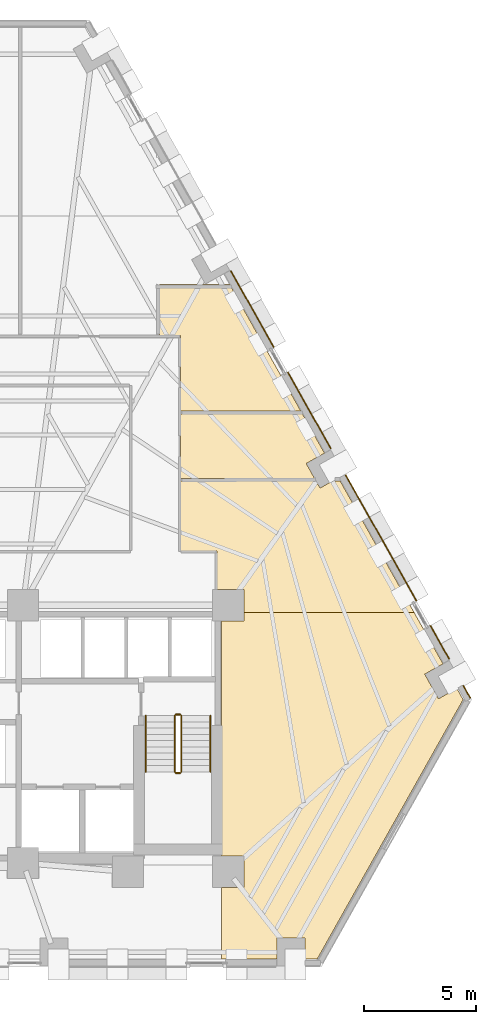
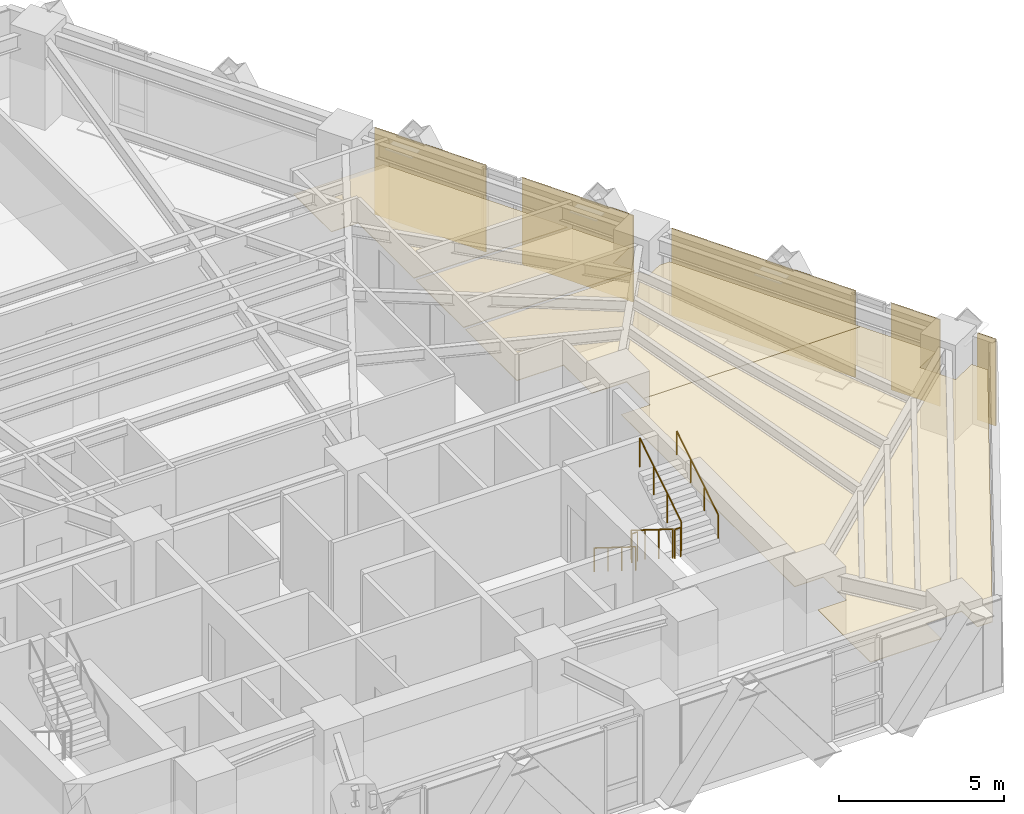
# One storey, part 12 of 13: 9 coverings, 6 railings.
"""IFC4 building model written with IfcOpenShell, lengths in metres."""

from ifc_helpers import new_model, si_unit, direction, frame, origin, origin_2d, place, context, subcontext, project, spatial, polyline, circle, outline, extrude, material, layer, layer_set, type_object, element, save


model = new_model("IFC4")

# Units and contexts
model_context = context("Model", 3, precision=1e-05, world=origin(), true_north=direction((0.0, 1.0)))
body_context = subcontext(model_context, "Body", "Model", "MODEL_VIEW")
ifc_project = project(units=[si_unit("LENGTHUNIT", "METRE"), si_unit("AREAUNIT", "SQUARE_METRE"), si_unit("VOLUMEUNIT", "CUBIC_METRE"), si_unit("PLANEANGLEUNIT", "RADIAN"), si_unit("MASSUNIT", "GRAM", prefix="KILO")], contexts=[model_context])

# Site, building, storey
site_placement = place(None, origin())
site = spatial("IfcSite", under=ifc_project, at=site_placement, CompositionType="ELEMENT")
building_placement = place(site_placement, origin())
building = spatial("IfcBuilding", under=site, at=building_placement, Name="Quenlor Broadcast Tower", CompositionType="ELEMENT")
storey_placement = place(building_placement, frame((0.0, 0.0, 45.10009765625)))
storey = spatial("IfcBuildingStorey", under=building, at=storey_placement, Name="L11", CompositionType="ELEMENT", Elevation=45.10009765625)

# Coverings
ifc_material_1 = material(Name="Acoustic Mineral Fibre Board", Category="other")
ifc_layer_1 = layer(ifc_material_1, 0.02490234375)
ifc_layer_set_1 = layer_set([ifc_layer_1], Name="Acoustic Perforated Mineral Tile Ceiling 25")
covering_type_1 = type_object("IfcCoveringType", Name="Acoustic Perforated Mineral Tile Ceiling 25", PredefinedType="CEILING", material=ifc_layer_set_1)
covering_1_placement = place(storey_placement, frame((0.0, 0.0, 2.224853515625)))
element("IfcCovering", 1, at=covering_1_placement, inside=storey, type_object=covering_type_1, Name="L11 Acoustic Ceiling L11-34", PredefinedType="CEILING", context=body_context, shape_type="SweptSolid", body=[
    extrude(outline(polyline([(9.860107421875, 7.280029296875), (9.860107421875, 9.580078125), (13.0087890625, 9.580078125), (16.20361328125, 3.89990234375), (10.804931640625, 3.89990234375), (10.804931640625, 7.280029296875), (9.860107421875, 7.280029296875)])), origin(), (0.0, 0.0, 1.0), 0.025146484375),
])
covering_2_placement = place(storey_placement, frame((0.0, 0.0, 2.224853515625)))
element("IfcCovering", 2, at=covering_2_placement, inside=storey, type_object=covering_type_1, Name="L11 Acoustic Ceiling L11-36", PredefinedType="CEILING", context=body_context, shape_type="SweptSolid", body=[
    extrude(outline(polyline([(16.44189453125, 1.552978515625), (16.820556640625, 0.879638671875), (10.804931640625, 0.879638671875), (10.804931640625, 3.780029296875), (16.271240234375, 3.780029296875), (17.263671875, 2.015380859375), (16.44189453125, 1.552978515625)])), origin(), (0.0, 0.0, 1.0), 0.025146484375),
])
covering_3_placement = place(storey_placement, frame((0.0, 0.0, 2.224853515625)))
element("IfcCovering", 3, at=covering_3_placement, inside=storey, type_object=covering_type_1, Name="L11 Acoustic Ceiling L11-38-2", PredefinedType="CEILING", context=body_context, shape_type="SweptSolid", body=[
    extrude(outline(polyline([(13.657958984375, -4.092041015625), (12.43994140625, -4.092041015625), (12.43994140625, -2.3701171875), (10.804931640625, -2.3701171875), (10.804931640625, 0.759765625), (16.88818359375, 0.759765625), (17.0625, 0.44970703125), (17.61376953125, 0.759765625), (17.97021484375, 0.759765625), (21.27734375, -5.1201171875), (13.657958984375, -5.1201171875), (13.657958984375, -4.092041015625)])), origin(), (0.0, 0.0, 1.0), 0.025146484375),
])
covering_4_placement = place(storey_placement, frame((0.0, 0.0, 2.224853515625)))
element("IfcCovering", 4, at=covering_4_placement, inside=storey, type_object=covering_type_1, Name="L11 Acoustic Ceiling L11-38-5", PredefinedType="CEILING", context=body_context, shape_type="SweptSolid", body=[
    extrude(outline(polyline([(13.657958984375, -17.4580078125), (13.657958984375, -16.0419921875), (12.64990234375, -16.0419921875), (12.64990234375, -5.508056640625), (13.657958984375, -5.508056640625), (13.657958984375, -5.1201171875), (21.27734375, -5.1201171875), (22.575927734375, -7.428466796875), (21.754150390625, -7.890625), (22.374755859375, -8.994140625), (23.196533203125, -8.531982421875), (23.477783203125, -9.031982421875), (16.937255859375, -20.659912109375), (16.398193359375, -20.659912109375), (16.398193359375, -19.717041015625), (15.132080078125, -19.717041015625), (15.132080078125, -20.659912109375), (12.64990234375, -20.659912109375), (12.64990234375, -17.4580078125), (13.657958984375, -17.4580078125)])), origin(), (0.0, 0.0, 1.0), 0.025146484375),
])
ifc_material_2 = material(Name="Architectural Terracotta Ceramic", Category="masonry")
ifc_layer_2 = layer(ifc_material_2, 0.044921875)
ifc_layer_set_2 = layer_set([ifc_layer_2], Name="Fluted Terracotta Rainscreen Cladding Panel")
covering_type_2 = type_object("IfcCoveringType", Name="Fluted Terracotta Rainscreen Cladding Panel", PredefinedType="CLADDING", material=ifc_layer_set_2)
covering_5_placement = place(storey_placement, frame((0.0, 0.0, 0.02001953125)))
element("IfcCovering", 5, at=covering_5_placement, inside=storey, type_object=covering_type_2, Name="L11 Terracotta Rainscreen Cladding L11-SHD-NES1", PredefinedType="CLADDING", context=body_context, shape_type="SweptSolid", body=[
    extrude(outline(polyline([(23.464111328125, -8.412109375), (23.781982421875, -8.97705078125), (23.8212890625, -8.955078125), (23.50341796875, -8.39013671875), (23.464111328125, -8.412109375)])), origin(), (0.0, 0.0, 1.0), 3.2099609375),
])
covering_6_placement = place(storey_placement, frame((0.0, 0.0, 0.02001953125)))
element("IfcCovering", 6, at=covering_6_placement, inside=storey, type_object=covering_type_2, Name="L11 Terracotta Rainscreen Cladding L11-NEC-SP1", PredefinedType="CLADDING", context=body_context, shape_type="SweptSolid", body=[
    extrude(outline(polyline([(18.18798828125, 1.029052734375), (21.3671875, -4.622802734375), (21.406494140625, -4.6005859375), (18.227294921875, 1.051025390625), (18.18798828125, 1.029052734375)])), origin(), (0.0, 0.0, 1.0), 3.2099609375),
])
covering_7_placement = place(storey_placement, frame((0.0, 0.0, 0.02001953125)))
element("IfcCovering", 7, at=covering_7_placement, inside=storey, type_object=covering_type_2, Name="L11 Terracotta Rainscreen Cladding L11-NEC-SP2", PredefinedType="CLADDING", context=body_context, shape_type="SweptSolid", body=[
    extrude(outline(polyline([(21.988525390625, -5.727294921875), (22.83349609375, -7.2294921875), (22.872802734375, -7.20751953125), (22.027587890625, -5.705322265625), (21.988525390625, -5.727294921875)])), origin(), (0.0, 0.0, 1.0), 3.2099609375),
])
covering_8_placement = place(storey_placement, frame((0.0, 0.0, 0.02001953125)))
element("IfcCovering", 8, at=covering_8_placement, inside=storey, type_object=covering_type_2, Name="L11 Terracotta Rainscreen Cladding L11-NE-SP1", PredefinedType="CLADDING", context=body_context, shape_type="SweptSolid", body=[
    extrude(outline(polyline([(13.044921875, 10.172607421875), (14.9736328125, 6.74365234375), (15.0126953125, 6.765625), (13.083984375, 10.194580078125), (13.044921875, 10.172607421875)])), origin(), (0.0, 0.0, 1.0), 3.2099609375),
])
covering_9_placement = place(storey_placement, frame((0.0, 0.0, 0.02001953125)))
element("IfcCovering", 9, at=covering_9_placement, inside=storey, type_object=covering_type_2, Name="L11 Terracotta Rainscreen Cladding L11-NE-SP2", PredefinedType="CLADDING", context=body_context, shape_type="SweptSolid", body=[
    extrude(outline(polyline([(15.594970703125, 5.638916015625), (17.523681640625, 2.2099609375), (17.56298828125, 2.23193359375), (15.63427734375, 5.660888671875), (15.594970703125, 5.638916015625)])), origin(), (0.0, 0.0, 1.0), 3.2099609375),
])

# Railings
ifc_material_3 = material(Name="Anodised Aluminium", Category="aluminium")
railing_type_1 = type_object("IfcRailingType", Name="Stainless Aluminium Wall Handrail 900", PredefinedType="HANDRAIL", material=ifc_material_3)
railing_1_placement = place(storey_placement, frame((9.25, -9.75, 0.1748046875)))
element("IfcRailing", 10, at=railing_1_placement, inside=storey, type_object=railing_type_1, Name="L11 ST-2 stair handrail 1", PredefinedType="HANDRAIL", context=body_context, shape_type="SweptSolid", body=[
    extrude(circle(Radius=0.02392578125, at=origin_2d()), frame((0.0, 0.0, 0.8759765625), z_axis=(0.0, -0.847970611238, 0.530043245855), x_axis=(1.0, 0.0, 0.0)), (0.0, 0.0, 1.0), 2.971923828125),
    extrude(circle(Radius=0.02099609375, at=origin_2d()), origin(), (0.0, 0.0, 1.0), 0.851806640625),
    extrude(circle(Radius=0.02099609375, at=origin_2d()), frame((0.0, -0.840087890625, 0.525146484375)), (0.0, 0.0, 1.0), 0.851806640625),
    extrude(circle(Radius=0.02099609375, at=origin_2d()), frame((0.0, -1.679931640625, 1.050048828125)), (0.0, 0.0, 1.0), 0.851806640625),
    extrude(circle(Radius=0.02099609375, at=origin_2d()), frame((0.0, -2.52001953125, 1.5751953125)), (0.0, 0.0, 1.0), 0.851806640625),
])
railing_2_placement = place(storey_placement, frame((12.14990234375, -12.27001953125, 1.9248046875)))
element("IfcRailing", 11, at=railing_2_placement, inside=storey, type_object=railing_type_1, Name="L11 ST-2 stair handrail 2", PredefinedType="HANDRAIL", context=body_context, shape_type="SweptSolid", body=[
    extrude(circle(Radius=0.02392578125, at=origin_2d()), frame((0.0, 0.0, 0.8759765625), z_axis=(0.0, 0.847970611238, 0.530043245855), x_axis=(-1.0, 0.0, 0.0)), (0.0, 0.0, 1.0), 2.971923828125),
    extrude(circle(Radius=0.02099609375, at=origin_2d()), origin(), (0.0, 0.0, 1.0), 0.851806640625),
    extrude(circle(Radius=0.02099609375, at=origin_2d()), frame((0.0, 0.840087890625, 0.525146484375)), (0.0, 0.0, 1.0), 0.851806640625),
    extrude(circle(Radius=0.02099609375, at=origin_2d()), frame((0.0, 1.679931640625, 1.050048828125)), (0.0, 0.0, 1.0), 0.851806640625),
    extrude(circle(Radius=0.02099609375, at=origin_2d()), frame((0.0, 2.52001953125, 1.5751953125)), (0.0, 0.0, 1.0), 0.851806640625),
])
ifc_material_4 = material(Name="Steel S355", Category="steel")
railing_type_2 = type_object("IfcRailingType", Name="Tubular Steel S355 Stair Guardrail 1100", PredefinedType="BALUSTRADE", material=ifc_material_4)
railing_3_placement = place(storey_placement, frame((10.550048828125, -9.75, 0.1748046875)))
element("IfcRailing", 12, at=railing_3_placement, inside=storey, type_object=railing_type_2, Name="L11 ST-2 stair guard 1", PredefinedType="BALUSTRADE", context=body_context, shape_type="SweptSolid", body=[
    extrude(circle(Radius=0.02392578125, at=origin_2d()), frame((0.0, 0.0, 1.076171875), z_axis=(0.0, -0.847970611238, 0.530043245855), x_axis=(1.0, 0.0, 0.0)), (0.0, 0.0, 1.0), 2.971923828125),
    extrude(circle(Radius=0.02099609375, at=origin_2d()), origin(), (0.0, 0.0, 1.0), 1.052001953125),
    extrude(circle(Radius=0.02099609375, at=origin_2d()), frame((0.0, -0.840087890625, 0.525146484375)), (0.0, 0.0, 1.0), 1.052001953125),
    extrude(circle(Radius=0.02099609375, at=origin_2d()), frame((0.0, -1.679931640625, 1.050048828125)), (0.0, 0.0, 1.0), 1.052001953125),
    extrude(circle(Radius=0.02099609375, at=origin_2d()), frame((0.0, -2.52001953125, 1.5751953125)), (0.0, 0.0, 1.0), 1.052001953125),
])
railing_4_placement = place(storey_placement, frame((10.60009765625, -12.320068359375, 1.75)))
element("IfcRailing", 13, at=railing_4_placement, inside=storey, type_object=railing_type_2, Name="L11 ST-2 stair guard 2", PredefinedType="BALUSTRADE", context=body_context, shape_type="SweptSolid", body=[
    extrude(circle(Radius=0.02392578125, at=origin_2d()), frame((0.0, 0.0, 1.076171875), z_axis=(1.0, 0.0, 0.0), x_axis=(0.0, 1.0, 0.0)), (0.0, 0.0, 1.0), 0.199951171875),
    extrude(circle(Radius=0.02099609375, at=origin_2d()), origin(), (0.0, 0.0, 1.0), 1.052001953125),
    extrude(circle(Radius=0.02099609375, at=origin_2d()), frame((0.199951171875, 0.0, 0.0)), (0.0, 0.0, 1.0), 1.052001953125),
])
railing_5_placement = place(storey_placement, frame((10.85009765625, -12.27001953125, 1.9248046875)))
element("IfcRailing", 14, at=railing_5_placement, inside=storey, type_object=railing_type_2, Name="L11 ST-2 stair guard 3", PredefinedType="BALUSTRADE", context=body_context, shape_type="SweptSolid", body=[
    extrude(circle(Radius=0.02392578125, at=origin_2d()), frame((0.0, 0.0, 1.076171875), z_axis=(0.0, 0.847970611238, 0.530043245855), x_axis=(-1.0, 0.0, 0.0)), (0.0, 0.0, 1.0), 2.971923828125),
    extrude(circle(Radius=0.02099609375, at=origin_2d()), origin(), (0.0, 0.0, 1.0), 1.052001953125),
    extrude(circle(Radius=0.02099609375, at=origin_2d()), frame((0.0, 0.840087890625, 0.525146484375)), (0.0, 0.0, 1.0), 1.052001953125),
    extrude(circle(Radius=0.02099609375, at=origin_2d()), frame((0.0, 1.679931640625, 1.050048828125)), (0.0, 0.0, 1.0), 1.052001953125),
    extrude(circle(Radius=0.02099609375, at=origin_2d()), frame((0.0, 2.52001953125, 1.5751953125)), (0.0, 0.0, 1.0), 1.052001953125),
])
railing_6_placement = place(storey_placement, frame((10.60009765625, -9.699951171875, 0.0)))
element("IfcRailing", 15, at=railing_6_placement, inside=storey, type_object=railing_type_2, Name="L11 ST-2 stair guard 4", PredefinedType="BALUSTRADE", context=body_context, shape_type="SweptSolid", body=[
    extrude(circle(Radius=0.02392578125, at=origin_2d()), frame((0.0, 0.0, 1.076171875), z_axis=(1.0, 0.0, 0.0), x_axis=(0.0, 1.0, 0.0)), (0.0, 0.0, 1.0), 0.199951171875),
    extrude(circle(Radius=0.02099609375, at=origin_2d()), origin(), (0.0, 0.0, 1.0), 1.052001953125),
    extrude(circle(Radius=0.02099609375, at=origin_2d()), frame((0.199951171875, 0.0, 0.0)), (0.0, 0.0, 1.0), 1.052001953125),
])

save(model, "model.ifc")
